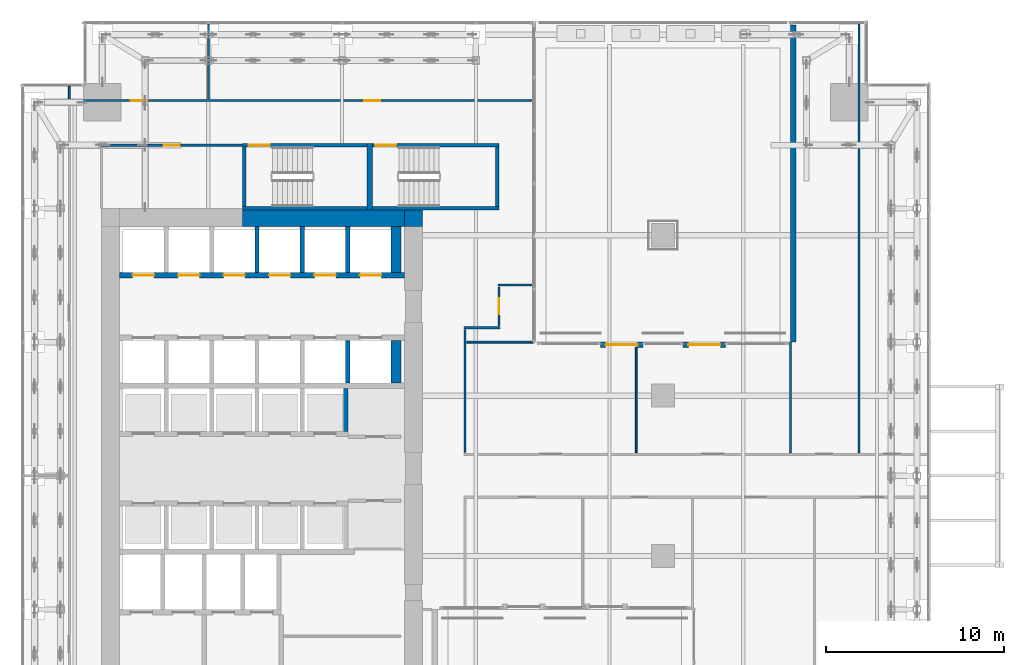
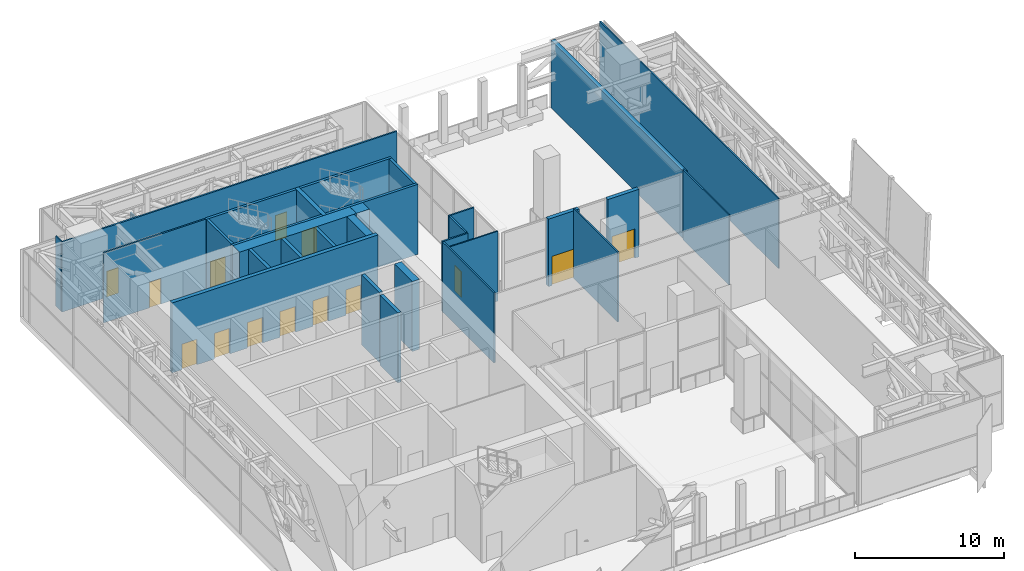
# One storey, part 38 of 47: 32 walls, 14 doors, 14 openings.
"""IFC4 building model written with IfcOpenShell, lengths in metres."""

from ifc_helpers import new_model, si_unit, direction, frame, frame_2d, origin, place, context, subcontext, project, spatial, rectangle, extrude, source, transform, mapped, material, layer, layer_set, type_object, element, fill, save


model = new_model("IFC4")

# Units and contexts
model_context = context("Model", 3, precision=1e-05, world=origin(), true_north=direction((0.0, 1.0)))
body_context = subcontext(model_context, "Body", "Model", "MODEL_VIEW")
ifc_project = project(units=[si_unit("LENGTHUNIT", "METRE"), si_unit("AREAUNIT", "SQUARE_METRE"), si_unit("VOLUMEUNIT", "CUBIC_METRE"), si_unit("PLANEANGLEUNIT", "RADIAN"), si_unit("MASSUNIT", "GRAM", prefix="KILO")], contexts=[model_context])

# Site, building, storey
site_placement = place(None, origin())
site = spatial("IfcSite", under=ifc_project, at=site_placement, CompositionType="ELEMENT")
building_placement = place(site_placement, origin())
building = spatial("IfcBuilding", under=site, at=building_placement, Name="Khomas Fold Tower", CompositionType="ELEMENT")
storey_placement = place(building_placement, frame((0.0, 0.0, 158.699951171875)))
storey = spatial("IfcBuildingStorey", under=building, at=storey_placement, Name="L34", CompositionType="ELEMENT", Elevation=158.699951171875)

# Walls
ifc_material_1 = material(Name="Concrete C70/85", Category="concrete")
ifc_layer_1 = layer(ifc_material_1, 0.89990234375)
ifc_layer_set_1 = layer_set([ifc_layer_1], Name="Concrete C70/85")
wall_type_1 = type_object("IfcWallType", Name="Core wall 900", PredefinedType="SHEAR", material=ifc_layer_set_1)
shared_shape_1 = source(origin(), body_context, "Body", "SweptSolid", [
    extrude(rectangle(XDim=9.10009765625, YDim=0.89990234375, at=frame_2d((4.550048828125, 0.0))), origin(), (0.0, 0.0, 1.0), 5.75),
])
wall_1_placement = place(storey_placement, frame((13.89990234375, 41.449951171875, 0.0), z_axis=(0.0, 0.0, 1.0), x_axis=(1.0, 0.0, 0.0)))
element("IfcWall", 1, at=wall_1_placement, inside=storey, type_object=wall_type_1, Name="Core wall CW-L-N-L21-1", PredefinedType="SHEAR", context=body_context, shape_type="MappedRepresentation", body=[
    mapped(shared_shape_1, transform((0.0, 0.0, 0.0))),
])
ifc_material_2 = material(Name="Concrete C70/85", Category="concrete")
ifc_layer_2 = layer(ifc_material_2, 0.89990234375)
ifc_layer_set_2 = layer_set([ifc_layer_2], Name="Concrete C70/85")
wall_type_2 = type_object("IfcWallType", Name="Core corner wall 900", PredefinedType="SHEAR", material=ifc_layer_set_2)
shared_shape_2 = source(origin(), body_context, "Body", "SweptSolid", [
    extrude(rectangle(XDim=1.0, YDim=0.89990234375, at=frame_2d((0.5, 0.0))), origin(), (0.0, 0.0, 1.0), 5.75),
])
wall_2_placement = place(storey_placement, frame((23.0, 41.449951171875, 0.0), z_axis=(0.0, 0.0, 1.0), x_axis=(1.0, 0.0, 0.0)))
element("IfcWall", 2, at=wall_2_placement, inside=storey, type_object=wall_type_2, Name="Core wall CW-L-NE-L21", PredefinedType="SHEAR", context=body_context, shape_type="MappedRepresentation", body=[
    mapped(shared_shape_2, transform((0.0, 0.0, 0.0))),
])

# Wall, opening, door
ifc_material_3 = material(Name="Concrete C50/60", Category="concrete")
ifc_layer_3 = layer(ifc_material_3, 0.199951171875)
ifc_layer_set_3 = layer_set([ifc_layer_3], Name="Concrete C50/60")
wall_type_3 = type_object("IfcWallType", Name="Stair wall 200", PredefinedType="SHEAR", material=ifc_layer_set_3)
shared_shape_3 = source(origin(), body_context, "Body", "SweptSolid", [
    extrude(rectangle(XDim=7.0, YDim=0.199951171875, at=frame_2d((3.5, 0.0))), origin(), (0.0, 0.0, 1.0), 5.75),
])
wall_3_placement = place(storey_placement, frame((13.89990234375, 45.550048828125, 0.0), z_axis=(0.0, 0.0, 1.0), x_axis=(1.0, 0.0, 0.0)))
wall_3 = element("IfcWall", 3, at=wall_3_placement, inside=storey, type_object=wall_type_3, Name="Stair wall SW-ST1-N", PredefinedType="SHEAR", context=body_context, shape_type="MappedRepresentation", body=[
    mapped(shared_shape_3, transform((0.0, 0.0, 0.0))),
])
shared_shape_4 = source(origin(), body_context, "Body", "SweptSolid", [
    extrude(rectangle(XDim=1.199951171875, YDim=2.10009765625, at=frame_2d((0.60009765625, 1.050048828125))), frame((0.0, 0.10986328125, 0.0), z_axis=(0.0, -1.0, 0.0), x_axis=(1.0, 0.0, 0.0)), (0.0, 0.0, 1.0), 0.219970703125),
])
opening_1_placement = place(wall_3_placement, frame((0.35009765625, 0.0, 0.0)))
opening_1 = element("IfcOpeningElement", 4, at=opening_1_placement, cuts=wall_3, Name="Opening SD-ST1", PredefinedType="OPENING", context=body_context, shape_type="MappedRepresentation", body=[
    mapped(shared_shape_4, transform((0.0, 0.0, 0.0))),
])
ifc_material_4 = material(Name="Steel door leaf", Category="steel")
door_type_1 = type_object("IfcDoorType", Name="Stair door 1200x2100 left-hand", OperationType="SINGLE_SWING_LEFT", PredefinedType="DOOR", material=ifc_material_4)
shared_shape_5 = source(origin(), body_context, "Body", "SweptSolid", [
    extrude(rectangle(XDim=1.199951171875, YDim=2.10009765625, at=frame_2d((0.60009765625, 1.050048828125))), frame((0.0, 0.02490234375, 0.0), z_axis=(0.0, -1.0, 0.0), x_axis=(1.0, 0.0, 0.0)), (0.0, 0.0, 1.0), 0.050048828125),
])
door_1_placement = place(opening_1_placement, origin())
door_1 = element("IfcDoor", 5, at=door_1_placement, inside=storey, type_object=door_type_1, Name="Stair door", OperationType="SINGLE_SWING_LEFT", OverallHeight=2.10009765625, OverallWidth=1.199951171875, PredefinedType="DOOR", context=body_context, shape_type="MappedRepresentation", body=[
    mapped(shared_shape_5, transform((0.0, 0.0, 0.0))),
])
fill(opening_1, door_1)

# Wall
wall_4_placement = place(storey_placement, frame((13.89990234375, 42.0, 0.0), z_axis=(0.0, 0.0, 1.0), x_axis=(1.0, 0.0, 0.0)))
element("IfcWall", 6, at=wall_4_placement, inside=storey, type_object=wall_type_3, Name="Stair wall SW-ST1-S", PredefinedType="SHEAR", context=body_context, shape_type="MappedRepresentation", body=[
    mapped(shared_shape_3, transform((0.0, 0.0, 0.0))),
])

# Wall, opening, door
shared_shape_6 = source(origin(), body_context, "Body", "SweptSolid", [
    extrude(rectangle(XDim=7.10009765625, YDim=0.199951171875, at=frame_2d((3.550048828125, 0.0))), origin(), (0.0, 0.0, 1.0), 5.75),
])
wall_5_placement = place(storey_placement, frame((21.199951171875, 45.550048828125, 0.0), z_axis=(0.0, 0.0, 1.0), x_axis=(1.0, 0.0, 0.0)))
wall_5 = element("IfcWall", 7, at=wall_5_placement, inside=storey, type_object=wall_type_3, Name="Stair wall SW-ST3-N", PredefinedType="SHEAR", context=body_context, shape_type="MappedRepresentation", body=[
    mapped(shared_shape_6, transform((0.0, 0.0, 0.0))),
])
opening_2_placement = place(wall_5_placement, frame((0.14990234375, 0.0, 0.0)))
opening_2 = element("IfcOpeningElement", 8, at=opening_2_placement, cuts=wall_5, Name="Opening SD-ST3", PredefinedType="OPENING", context=body_context, shape_type="MappedRepresentation", body=[
    mapped(shared_shape_4, transform((0.0, 0.0, 0.0))),
])
door_2_placement = place(opening_2_placement, origin())
door_2 = element("IfcDoor", 9, at=door_2_placement, inside=storey, type_object=door_type_1, Name="Stair door", OperationType="SINGLE_SWING_LEFT", OverallHeight=2.10009765625, OverallWidth=1.199951171875, PredefinedType="DOOR", context=body_context, shape_type="MappedRepresentation", body=[
    mapped(shared_shape_5, transform((0.0, 0.0, 0.0))),
])
fill(opening_2, door_2)

# Walls
wall_6_placement = place(storey_placement, frame((21.199951171875, 42.0, 0.0), z_axis=(0.0, 0.0, 1.0), x_axis=(1.0, 0.0, 0.0)))
element("IfcWall", 10, at=wall_6_placement, inside=storey, type_object=wall_type_3, Name="Stair wall SW-ST3-S", PredefinedType="SHEAR", context=body_context, shape_type="MappedRepresentation", body=[
    mapped(shared_shape_6, transform((0.0, 0.0, 0.0))),
])
ifc_material_5 = material(Name="Concrete C50/60", Category="concrete")
ifc_layer_4 = layer(ifc_material_5, 0.300048828125)
ifc_layer_set_4 = layer_set([ifc_layer_4], Name="Concrete C50/60")
wall_type_4 = type_object("IfcWallType", Name="Stair wall 300", PredefinedType="SHEAR", material=ifc_layer_set_4)
shared_shape_7 = source(origin(), body_context, "Body", "SweptSolid", [
    extrude(rectangle(XDim=3.75, YDim=0.300048828125, at=frame_2d((1.875, 0.0))), origin(), (0.0, 0.0, 1.0), 5.75),
])
wall_7_placement = place(storey_placement, frame((21.050048828125, 41.89990234375, 0.0), z_axis=(0.0, 0.0, 1.0), x_axis=(0.0, 1.0, 0.0)))
element("IfcWall", 11, at=wall_7_placement, inside=storey, type_object=wall_type_4, Name="Stair wall SW-ST1-E", PredefinedType="SHEAR", context=body_context, shape_type="MappedRepresentation", body=[
    mapped(shared_shape_7, transform((0.0, 0.0, 0.0))),
])
shared_shape_8 = source(origin(), body_context, "Body", "SweptSolid", [
    extrude(rectangle(XDim=3.349853515625, YDim=0.199951171875, at=frame_2d((1.6748046875, 0.0))), origin(), (0.0, 0.0, 1.0), 5.75),
])
for number, where, z_axis, x_axis, name in (
    (12, (14.0, 42.10009765625, 0.0), (0.0, 0.0, 1.0), (0.0, 1.0, 0.0), "Stair wall SW-ST1-W"),
    (13, (28.199951171875, 42.10009765625, 0.0), (0.0, 0.0, 1.0), (0.0, 1.0, 0.0), "Stair wall SW-ST3-E"),
):
    element("IfcWall", number, at=place(storey_placement, frame(where, z_axis=z_axis, x_axis=x_axis)), inside=storey, type_object=wall_type_3, Name=name, PredefinedType="SHEAR", context=body_context, shape_type="MappedRepresentation", body=[
        mapped(shared_shape_8, transform((0.0, 0.0, 0.0))),
    ])

# Wall, openings, doors
ifc_material_6 = material(Name="Concrete C50/60", Category="concrete")
ifc_layer_5 = layer(ifc_material_6, 0.300048828125)
ifc_layer_set_5 = layer_set([ifc_layer_5], Name="Concrete C50/60")
wall_type_5 = type_object("IfcWallType", Name="Shaft wall 300", PredefinedType="STANDARD", material=ifc_layer_set_5)
shared_shape_9 = source(origin(), body_context, "Body", "SweptSolid", [
    extrude(rectangle(XDim=16.0, YDim=0.300048828125, at=frame_2d((8.0, 0.0))), origin(), (0.0, 0.0, 1.0), 5.75),
])
wall_8_placement = place(storey_placement, frame((7.0, 38.25, 0.0), z_axis=(0.0, 0.0, 1.0), x_axis=(1.0, 0.0, 0.0)))
wall_8 = element("IfcWall", 14, at=wall_8_placement, inside=storey, type_object=wall_type_5, Name="Core wall SW-LRN-F", PredefinedType="STANDARD", context=body_context, shape_type="MappedRepresentation", body=[
    mapped(shared_shape_9, transform((0.0, 0.0, 0.0))),
])
shared_shape_10 = source(origin(), body_context, "Body", "SweptSolid", [
    extrude(rectangle(XDim=1.199951171875, YDim=2.10009765625, at=frame_2d((0.60009765625, 1.050048828125))), frame((0.0, 0.159912109375, 0.0), z_axis=(0.0, -1.0, 0.0), x_axis=(1.0, 0.0, 0.0)), (0.0, 0.0, 1.0), 0.320068359375),
])
opening_3_placement = place(wall_8_placement, frame((0.75, 0.0, 0.0)))
opening_3 = element("IfcOpeningElement", 15, at=opening_3_placement, cuts=wall_8, Name="Opening LD-LR5", PredefinedType="OPENING", context=body_context, shape_type="MappedRepresentation", body=[
    mapped(shared_shape_10, transform((0.0, 0.0, 0.0))),
])
opening_4_placement = place(wall_8_placement, frame((3.300048828125, 0.0, 0.0)))
opening_4 = element("IfcOpeningElement", 16, at=opening_4_placement, cuts=wall_8, Name="Opening LD-LR6", PredefinedType="OPENING", context=body_context, shape_type="MappedRepresentation", body=[
    mapped(shared_shape_10, transform((0.0, 0.0, 0.0))),
])
opening_5_placement = place(wall_8_placement, frame((5.85009765625, 0.0, 0.0)))
opening_5 = element("IfcOpeningElement", 17, at=opening_5_placement, cuts=wall_8, Name="Opening LD-LR7", PredefinedType="OPENING", context=body_context, shape_type="MappedRepresentation", body=[
    mapped(shared_shape_10, transform((0.0, 0.0, 0.0))),
])
opening_6_placement = place(wall_8_placement, frame((8.39990234375, 0.0, 0.0)))
opening_6 = element("IfcOpeningElement", 18, at=opening_6_placement, cuts=wall_8, Name="Opening LD-LR8", PredefinedType="OPENING", context=body_context, shape_type="MappedRepresentation", body=[
    mapped(shared_shape_10, transform((0.0, 0.0, 0.0))),
])
opening_7_placement = place(wall_8_placement, frame((10.949951171875, 0.0, 0.0)))
opening_7 = element("IfcOpeningElement", 19, at=opening_7_placement, cuts=wall_8, Name="Opening LD-S3", PredefinedType="OPENING", context=body_context, shape_type="MappedRepresentation", body=[
    mapped(shared_shape_10, transform((0.0, 0.0, 0.0))),
])
opening_8_placement = place(wall_8_placement, frame((13.5, 0.0, 0.0)))
opening_8 = element("IfcOpeningElement", 20, at=opening_8_placement, cuts=wall_8, Name="Opening LD-S4", PredefinedType="OPENING", context=body_context, shape_type="MappedRepresentation", body=[
    mapped(shared_shape_10, transform((0.0, 0.0, 0.0))),
])
ifc_material_7 = material(Name="Steel door leaf", Category="steel")
door_type_2 = type_object("IfcDoorType", Name="Landing door 1200x2100", OperationType="DOUBLE_DOOR_SLIDING", PredefinedType="DOOR", material=ifc_material_7)
door_3_placement = place(opening_3_placement, origin())
door_3 = element("IfcDoor", 21, at=door_3_placement, inside=storey, type_object=door_type_2, Name="Lift landing door", OperationType="DOUBLE_DOOR_SLIDING", OverallHeight=2.10009765625, OverallWidth=1.199951171875, PredefinedType="DOOR", context=body_context, shape_type="MappedRepresentation", body=[
    mapped(shared_shape_5, transform((0.0, 0.0, 0.0))),
])
fill(opening_3, door_3)
door_4_placement = place(opening_4_placement, origin())
door_4 = element("IfcDoor", 22, at=door_4_placement, inside=storey, type_object=door_type_2, Name="Lift landing door", OperationType="DOUBLE_DOOR_SLIDING", OverallHeight=2.10009765625, OverallWidth=1.199951171875, PredefinedType="DOOR", context=body_context, shape_type="MappedRepresentation", body=[
    mapped(shared_shape_5, transform((0.0, 0.0, 0.0))),
])
fill(opening_4, door_4)
door_5_placement = place(opening_5_placement, origin())
door_5 = element("IfcDoor", 23, at=door_5_placement, inside=storey, type_object=door_type_2, Name="Lift landing door", OperationType="DOUBLE_DOOR_SLIDING", OverallHeight=2.10009765625, OverallWidth=1.199951171875, PredefinedType="DOOR", context=body_context, shape_type="MappedRepresentation", body=[
    mapped(shared_shape_5, transform((0.0, 0.0, 0.0))),
])
fill(opening_5, door_5)
door_6_placement = place(opening_6_placement, origin())
door_6 = element("IfcDoor", 24, at=door_6_placement, inside=storey, type_object=door_type_2, Name="Lift landing door", OperationType="DOUBLE_DOOR_SLIDING", OverallHeight=2.10009765625, OverallWidth=1.199951171875, PredefinedType="DOOR", context=body_context, shape_type="MappedRepresentation", body=[
    mapped(shared_shape_5, transform((0.0, 0.0, 0.0))),
])
fill(opening_6, door_6)
door_7_placement = place(opening_7_placement, origin())
door_7 = element("IfcDoor", 25, at=door_7_placement, inside=storey, type_object=door_type_2, Name="Lift landing door", OperationType="DOUBLE_DOOR_SLIDING", OverallHeight=2.10009765625, OverallWidth=1.199951171875, PredefinedType="DOOR", context=body_context, shape_type="MappedRepresentation", body=[
    mapped(shared_shape_5, transform((0.0, 0.0, 0.0))),
])
fill(opening_7, door_7)
door_8_placement = place(opening_8_placement, origin())
door_8 = element("IfcDoor", 26, at=door_8_placement, inside=storey, type_object=door_type_2, Name="Lift landing door", OperationType="DOUBLE_DOOR_SLIDING", OverallHeight=2.10009765625, OverallWidth=1.199951171875, PredefinedType="DOOR", context=body_context, shape_type="MappedRepresentation", body=[
    mapped(shared_shape_5, transform((0.0, 0.0, 0.0))),
])
fill(opening_8, door_8)

# Walls
ifc_material_8 = material(Name="Concrete C50/60", Category="concrete")
ifc_layer_6 = layer(ifc_material_8, 0.25)
ifc_layer_set_6 = layer_set([ifc_layer_6], Name="Concrete C50/60")
wall_type_6 = type_object("IfcWallType", Name="Shaft wall 250", PredefinedType="STANDARD", material=ifc_layer_set_6)
shared_shape_11 = source(origin(), body_context, "Body", "SweptSolid", [
    extrude(rectangle(XDim=2.39990234375, YDim=0.25, at=frame_2d((1.199951171875, 0.0))), origin(), (0.0, 0.0, 1.0), 5.75),
])
wall_9_placement = place(storey_placement, frame((19.699951171875, 29.5, 0.0), z_axis=(0.0, 0.0, 1.0), x_axis=(0.0, 1.0, 0.0)))
element("IfcWall", 27, at=wall_9_placement, inside=storey, type_object=wall_type_6, Name="Core wall SW-HRN-MR-PE", PredefinedType="STANDARD", context=body_context, shape_type="MappedRepresentation", body=[
    mapped(shared_shape_11, transform((0.0, 0.0, 0.0))),
])
shared_shape_12 = source(origin(), body_context, "Body", "SweptSolid", [
    extrude(rectangle(XDim=2.400146484375, YDim=0.25, at=frame_2d((1.2001953125, 0.0))), origin(), (0.0, 0.0, 1.0), 5.75),
])
wall_10_placement = place(storey_placement, frame((19.824951171875, 32.199951171875, 0.0), z_axis=(0.0, 0.0, 1.0), x_axis=(0.0, 1.0, 0.0)))
element("IfcWall", 28, at=wall_10_placement, inside=storey, type_object=wall_type_6, Name="Core wall SW-LRS-P5", PredefinedType="STANDARD", context=body_context, shape_type="MappedRepresentation", body=[
    mapped(shared_shape_12, transform((0.0, 0.0, 0.0))),
])
shared_shape_13 = source(origin(), body_context, "Body", "SweptSolid", [
    extrude(rectangle(XDim=2.60009765625, YDim=0.25, at=frame_2d((1.300048828125, 0.0))), origin(), (0.0, 0.0, 1.0), 5.75),
])
for number, where, z_axis, x_axis, name in (
    (29, (14.72509765625, 38.39990234375, 0.0), (0.0, 0.0, 1.0), (0.0, 1.0, 0.0), "Core wall SW-LRN-P3"),
    (30, (17.27490234375, 38.39990234375, 0.0), (0.0, 0.0, 1.0), (0.0, 1.0, 0.0), "Core wall SW-LRN-P4"),
    (31, (19.824951171875, 38.39990234375, 0.0), (0.0, 0.0, 1.0), (0.0, 1.0, 0.0), "Core wall SW-LRN-P5"),
):
    element("IfcWall", number, at=place(storey_placement, frame(where, z_axis=z_axis, x_axis=x_axis)), inside=storey, type_object=wall_type_6, Name=name, PredefinedType="STANDARD", context=body_context, shape_type="MappedRepresentation", body=[
        mapped(shared_shape_13, transform((0.0, 0.0, 0.0))),
    ])
ifc_material_9 = material(Name="Concrete C50/60", Category="concrete")
ifc_layer_7 = layer(ifc_material_9, 0.550048828125)
ifc_layer_set_7 = layer_set([ifc_layer_7], Name="Concrete C50/60")
wall_type_7 = type_object("IfcWallType", Name="Shaft wall 550", PredefinedType="STANDARD", material=ifc_layer_set_7)
shared_shape_14 = source(origin(), body_context, "Body", "SweptSolid", [
    extrude(rectangle(XDim=2.60009765625, YDim=0.550048828125, at=frame_2d((1.300048828125, 0.0))), origin(), (0.0, 0.0, 1.0), 5.75),
])
wall_11_placement = place(storey_placement, frame((22.52490234375, 38.39990234375, 0.0), z_axis=(0.0, 0.0, 1.0), x_axis=(0.0, 1.0, 0.0)))
element("IfcWall", 32, at=wall_11_placement, inside=storey, type_object=wall_type_7, Name="Core wall SW-LRN-PE", PredefinedType="STANDARD", context=body_context, shape_type="MappedRepresentation", body=[
    mapped(shared_shape_14, transform((0.0, 0.0, 0.0))),
])
shared_shape_15 = source(origin(), body_context, "Body", "SweptSolid", [
    extrude(rectangle(XDim=2.400146484375, YDim=0.550048828125, at=frame_2d((1.2001953125, 0.0))), origin(), (0.0, 0.0, 1.0), 5.75),
])
wall_12_placement = place(storey_placement, frame((22.52490234375, 32.199951171875, 0.0), z_axis=(0.0, 0.0, 1.0), x_axis=(0.0, 1.0, 0.0)))
element("IfcWall", 33, at=wall_12_placement, inside=storey, type_object=wall_type_7, Name="Core wall SW-LRS-PE", PredefinedType="STANDARD", context=body_context, shape_type="MappedRepresentation", body=[
    mapped(shared_shape_15, transform((0.0, 0.0, 0.0))),
])
ifc_material_10 = material(Name="Concrete C40/50", Category="concrete")
ifc_layer_8 = layer(ifc_material_10, 0.300048828125)
ifc_layer_set_8 = layer_set([ifc_layer_8], Name="Concrete C40/50")
wall_type_8 = type_object("IfcWallType", Name="Garden door wall 300", PredefinedType="SOLIDWALL", material=ifc_layer_set_8)
shared_shape_16 = source(origin(), body_context, "Body", "SweptSolid", [
    extrude(rectangle(XDim=17.800048828125, YDim=0.300048828125, at=frame_2d((8.89990234375, 0.0))), origin(), (0.0, 0.0, 1.0), 5.550048828125),
])
wall_13_placement = place(storey_placement, frame((44.800048828125, 52.300048828125, 0.0), z_axis=(0.0, 0.0, 1.0), x_axis=(0.0, -1.0, 0.0)))
element("IfcWall", 34, at=wall_13_placement, inside=storey, type_object=wall_type_8, Name="Garden closing wall", PredefinedType="SOLIDWALL", context=body_context, shape_type="MappedRepresentation", body=[
    mapped(shared_shape_16, transform((0.0, 0.0, 0.0))),
])

# Wall, opening, door
shared_shape_17 = source(origin(), body_context, "Body", "SweptSolid", [
    extrude(rectangle(XDim=2.39990234375, YDim=0.300048828125, at=frame_2d((1.199951171875, 0.0))), origin(), (0.0, 0.0, 1.0), 5.550048828125),
])
wall_14_placement = place(storey_placement, frame((41.0166015625, 34.35009765625, 0.0), z_axis=(0.0, 0.0, 1.0), x_axis=(-1.0, 0.0, 0.0)))
wall_14 = element("IfcWall", 35, at=wall_14_placement, inside=storey, type_object=wall_type_8, Name="Garden door wall", PredefinedType="SOLIDWALL", context=body_context, shape_type="MappedRepresentation", body=[
    mapped(shared_shape_17, transform((0.0, 0.0, 0.0))),
])
shared_shape_18 = source(origin(), body_context, "Body", "SweptSolid", [
    extrude(rectangle(XDim=1.800048828125, YDim=2.39990234375, at=frame_2d((0.89990234375, 1.199951171875))), frame((0.0, 0.159912109375, 0.0), z_axis=(0.0, -1.0, 0.0), x_axis=(1.0, 0.0, 0.0)), (0.0, 0.0, 1.0), 0.320068359375),
])
opening_9_placement = place(wall_14_placement, frame((2.10009765625, 0.0, 0.0), z_axis=(0.0, 0.0, 1.0), x_axis=(-1.0, 0.0, 0.0)))
opening_9 = element("IfcOpeningElement", 36, at=opening_9_placement, cuts=wall_14, Name="Opening GNN03", PredefinedType="OPENING", context=body_context, shape_type="MappedRepresentation", body=[
    mapped(shared_shape_18, transform((0.0, 0.0, 0.0))),
])
ifc_material_11 = material(Name="Aluminium framed glazing", Category="aluminium")
door_type_3 = type_object("IfcDoorType", Name="Garden door 1800 x 2400", OperationType="DOUBLE_DOOR_DOUBLE_SWING", PredefinedType="DOOR", material=ifc_material_11)
shared_shape_19 = source(origin(), body_context, "Body", "SweptSolid", [
    extrude(rectangle(XDim=1.800048828125, YDim=2.39990234375, at=frame_2d((0.89990234375, 1.199951171875))), frame((0.0, 0.02490234375, 0.0), z_axis=(0.0, -1.0, 0.0), x_axis=(1.0, 0.0, 0.0)), (0.0, 0.0, 1.0), 0.050048828125),
])
door_9_placement = place(opening_9_placement, origin())
door_9 = element("IfcDoor", 37, at=door_9_placement, inside=storey, type_object=door_type_3, Name="Garden door", OperationType="DOUBLE_DOOR_DOUBLE_SWING", OverallHeight=2.39990234375, OverallWidth=1.800048828125, PredefinedType="DOOR", context=body_context, shape_type="MappedRepresentation", body=[
    mapped(shared_shape_19, transform((0.0, 0.0, 0.0))),
])
fill(opening_9, door_9)

wall_15_placement = place(storey_placement, frame((36.38330078125, 34.35009765625, 0.0), z_axis=(0.0, 0.0, 1.0), x_axis=(-1.0, 0.0, 0.0)))
wall_15 = element("IfcWall", 38, at=wall_15_placement, inside=storey, type_object=wall_type_8, Name="Garden door wall", PredefinedType="SOLIDWALL", context=body_context, shape_type="MappedRepresentation", body=[
    mapped(shared_shape_17, transform((0.0, 0.0, 0.0))),
])
opening_10_placement = place(wall_15_placement, frame((2.10009765625, 0.0, 0.0), z_axis=(0.0, 0.0, 1.0), x_axis=(-1.0, 0.0, 0.0)))
opening_10 = element("IfcOpeningElement", 39, at=opening_10_placement, cuts=wall_15, Name="Opening GNN04", PredefinedType="OPENING", context=body_context, shape_type="MappedRepresentation", body=[
    mapped(shared_shape_18, transform((0.0, 0.0, 0.0))),
])
door_10_placement = place(opening_10_placement, origin())
door_10 = element("IfcDoor", 40, at=door_10_placement, inside=storey, type_object=door_type_3, Name="Garden door", OperationType="DOUBLE_DOOR_DOUBLE_SWING", OverallHeight=2.39990234375, OverallWidth=1.800048828125, PredefinedType="DOOR", context=body_context, shape_type="MappedRepresentation", body=[
    mapped(shared_shape_19, transform((0.0, 0.0, 0.0))),
])
fill(opening_10, door_10)

# Walls
ifc_material_12 = material(Name="Plasterboard partition")
ifc_layer_9 = layer(ifc_material_12, 0.10009765625)
ifc_layer_set_9 = layer_set([ifc_layer_9], Name="Plasterboard partition")
wall_type_9 = type_object("IfcWallType", Name="Partition PW1 100", PredefinedType="PARTITIONING", material=ifc_layer_set_9)
shared_shape_20 = source(origin(), body_context, "Body", "SweptSolid", [
    extrude(rectangle(XDim=24.050048828125, YDim=0.10009765625, at=frame_2d((12.02490234375, 0.0))), origin(), (0.0, 0.0, 1.0), 5.75),
])
wall_16_placement = place(storey_placement, frame((48.5, 28.300048828125, 0.0), z_axis=(0.0, 0.0, 1.0), x_axis=(0.0, 1.0, 0.0)))
element("IfcWall", 41, at=wall_16_placement, inside=storey, type_object=wall_type_9, Name="Partition", PredefinedType="PARTITIONING", context=body_context, shape_type="MappedRepresentation", body=[
    mapped(shared_shape_20, transform((0.0, 0.0, 0.0))),
])
shared_shape_21 = source(origin(), body_context, "Body", "SweptSolid", [
    extrude(rectangle(XDim=6.199951171875, YDim=0.10009765625, at=frame_2d((3.10009765625, 0.0))), origin(), (0.0, 0.0, 1.0), 5.75),
])
wall_17_placement = place(storey_placement, frame((44.64990234375, 28.300048828125, 0.0), z_axis=(0.0, 0.0, 1.0), x_axis=(0.0, 1.0, 0.0)))
element("IfcWall", 42, at=wall_17_placement, inside=storey, type_object=wall_type_9, Name="Partition", PredefinedType="PARTITIONING", context=body_context, shape_type="MappedRepresentation", body=[
    mapped(shared_shape_21, transform((0.0, 0.0, 0.0))),
])
ifc_material_13 = material(Name="Plasterboard partition")
ifc_layer_10 = layer(ifc_material_13, 0.125)
ifc_layer_set_10 = layer_set([ifc_layer_10], Name="Plasterboard partition")
wall_type_10 = type_object("IfcWallType", Name="Partition PW2 125", PredefinedType="PARTITIONING", material=ifc_layer_set_10)
shared_shape_22 = source(origin(), body_context, "Body", "SweptSolid", [
    extrude(rectangle(XDim=6.89990234375, YDim=0.125, at=frame_2d((3.449951171875, 0.0))), origin(), (0.0, 0.0, 1.0), 5.75),
])
wall_18_placement = place(storey_placement, frame((26.39990234375, 28.300048828125, 0.0), z_axis=(0.0, 0.0, 1.0), x_axis=(0.0, 1.0, 0.0)))
element("IfcWall", 43, at=wall_18_placement, inside=storey, type_object=wall_type_10, Name="Partition", PredefinedType="PARTITIONING", context=body_context, shape_type="MappedRepresentation", body=[
    mapped(shared_shape_22, transform((0.0, 0.0, 0.0))),
])
shared_shape_23 = source(origin(), body_context, "Body", "SweptSolid", [
    extrude(rectangle(XDim=5.89990234375, YDim=0.10009765625, at=frame_2d((2.949951171875, 0.0))), origin(), (0.0, 0.0, 1.0), 5.75),
])
wall_19_placement = place(storey_placement, frame((36.0, 28.300048828125, 0.0), z_axis=(0.0, 0.0, 1.0), x_axis=(0.0, 1.0, 0.0)))
element("IfcWall", 44, at=wall_19_placement, inside=storey, type_object=wall_type_9, Name="Partition", PredefinedType="PARTITIONING", context=body_context, shape_type="MappedRepresentation", body=[
    mapped(shared_shape_23, transform((0.0, 0.0, 0.0))),
])
shared_shape_24 = source(origin(), body_context, "Body", "SweptSolid", [
    extrude(rectangle(XDim=3.699951171875, YDim=0.10009765625, at=frame_2d((1.85009765625, 0.0))), origin(), (0.0, 0.0, 1.0), 5.75),
])
wall_20_placement = place(storey_placement, frame((26.5, 34.5, 0.0), z_axis=(0.0, 0.0, 1.0), x_axis=(1.0, 0.0, 0.0)))
element("IfcWall", 45, at=wall_20_placement, inside=storey, type_object=wall_type_9, Name="Partition", PredefinedType="PARTITIONING", context=body_context, shape_type="MappedRepresentation", body=[
    mapped(shared_shape_24, transform((0.0, 0.0, 0.0))),
])
shared_shape_25 = source(origin(), body_context, "Body", "SweptSolid", [
    extrude(rectangle(XDim=2.0, YDim=0.125, at=frame_2d((1.0, 0.0))), origin(), (0.0, 0.0, 1.0), 5.75),
])
wall_21_placement = place(storey_placement, frame((26.35009765625, 35.300048828125, 0.0), z_axis=(0.0, 0.0, 1.0), x_axis=(1.0, 0.0, 0.0)))
element("IfcWall", 46, at=wall_21_placement, inside=storey, type_object=wall_type_10, Name="Partition", PredefinedType="PARTITIONING", context=body_context, shape_type="MappedRepresentation", body=[
    mapped(shared_shape_25, transform((0.0, 0.0, 0.0))),
])

# Wall, opening, door
shared_shape_26 = source(origin(), body_context, "Body", "SweptSolid", [
    extrude(rectangle(XDim=2.2001953125, YDim=0.125, at=frame_2d((1.10009765625, 0.0))), origin(), (0.0, 0.0, 1.0), 5.75),
])
wall_22_placement = place(storey_placement, frame((28.300048828125, 35.39990234375, 0.0), z_axis=(0.0, 0.0, 1.0), x_axis=(0.0, 1.0, 0.0)))
wall_22 = element("IfcWall", 47, at=wall_22_placement, inside=storey, type_object=wall_type_10, Name="Partition", PredefinedType="PARTITIONING", context=body_context, shape_type="MappedRepresentation", body=[
    mapped(shared_shape_26, transform((0.0, 0.0, 0.0))),
])
shared_shape_27 = source(origin(), body_context, "Body", "SweptSolid", [
    extrude(rectangle(XDim=0.89990234375, YDim=2.10009765625, at=frame_2d((0.449951171875, 1.050048828125))), frame((0.0, 0.072509765625, 0.0), z_axis=(0.0, -1.0, 0.0), x_axis=(1.0, 0.0, 0.0)), (0.0, 0.0, 1.0), 0.14501953125),
])
opening_11_placement = place(wall_22_placement, frame((0.64990234375, 0.0, 0.0)))
opening_11 = element("IfcOpeningElement", 48, at=opening_11_placement, cuts=wall_22, Name="Opening 0008", PredefinedType="OPENING", context=body_context, shape_type="MappedRepresentation", body=[
    mapped(shared_shape_27, transform((0.0, 0.0, 0.0))),
])
ifc_material_14 = material(Name="Timber door leaf", Category="wood")
door_type_4 = type_object("IfcDoorType", Name="Door 900x2100 right-hand", OperationType="SINGLE_SWING_RIGHT", PredefinedType="DOOR", material=ifc_material_14)
shared_shape_28 = source(origin(), body_context, "Body", "SweptSolid", [
    extrude(rectangle(XDim=0.89990234375, YDim=2.10009765625, at=frame_2d((0.449951171875, 1.050048828125))), frame((0.0, 0.02490234375, 0.0), z_axis=(0.0, -1.0, 0.0), x_axis=(1.0, 0.0, 0.0)), (0.0, 0.0, 1.0), 0.050048828125),
])
door_11_placement = place(opening_11_placement, origin())
door_11 = element("IfcDoor", 49, at=door_11_placement, inside=storey, type_object=door_type_4, Name="Door", OperationType="SINGLE_SWING_RIGHT", OverallHeight=2.10009765625, OverallWidth=0.89990234375, PredefinedType="DOOR", context=body_context, shape_type="MappedRepresentation", body=[
    mapped(shared_shape_28, transform((0.0, 0.0, 0.0))),
])
fill(opening_11, door_11)

# Wall
shared_shape_29 = source(origin(), body_context, "Body", "SweptSolid", [
    extrude(rectangle(XDim=1.949951171875, YDim=0.125, at=frame_2d((0.97509765625, 0.0))), origin(), (0.0, 0.0, 1.0), 5.75),
])
wall_23_placement = place(storey_placement, frame((28.25, 37.699951171875, 0.0), z_axis=(0.0, 0.0, 1.0), x_axis=(1.0, 0.0, 0.0)))
element("IfcWall", 50, at=wall_23_placement, inside=storey, type_object=wall_type_10, Name="Partition", PredefinedType="PARTITIONING", context=body_context, shape_type="MappedRepresentation", body=[
    mapped(shared_shape_29, transform((0.0, 0.0, 0.0))),
])

# Wall, opening, door
shared_shape_30 = source(origin(), body_context, "Body", "SweptSolid", [
    extrude(rectangle(XDim=7.949951171875, YDim=0.125, at=frame_2d((3.97509765625, 0.0))), origin(), (0.0, 0.0, 1.0), 5.75),
])
wall_24_placement = place(storey_placement, frame((5.949951171875, 45.550048828125, 0.0), z_axis=(0.0, 0.0, 1.0), x_axis=(1.0, 0.0, 0.0)))
wall_24 = element("IfcWall", 51, at=wall_24_placement, inside=storey, type_object=wall_type_10, Name="Partition", PredefinedType="PARTITIONING", context=body_context, shape_type="MappedRepresentation", body=[
    mapped(shared_shape_30, transform((0.0, 0.0, 0.0))),
])
opening_12_placement = place(wall_24_placement, frame((3.550048828125, 0.0, 0.0)))
opening_12 = element("IfcOpeningElement", 52, at=opening_12_placement, cuts=wall_24, Name="Opening 0007", PredefinedType="OPENING", context=body_context, shape_type="MappedRepresentation", body=[
    mapped(shared_shape_27, transform((0.0, 0.0, 0.0))),
])
ifc_material_15 = material(Name="Timber door leaf", Category="wood")
door_type_5 = type_object("IfcDoorType", Name="Door 900x2100 left-hand", OperationType="SINGLE_SWING_LEFT", PredefinedType="DOOR", material=ifc_material_15)
door_12_placement = place(opening_12_placement, origin())
door_12 = element("IfcDoor", 53, at=door_12_placement, inside=storey, type_object=door_type_5, Name="Door", OperationType="SINGLE_SWING_LEFT", OverallHeight=2.10009765625, OverallWidth=0.89990234375, PredefinedType="DOOR", context=body_context, shape_type="MappedRepresentation", body=[
    mapped(shared_shape_28, transform((0.0, 0.0, 0.0))),
])
fill(opening_12, door_12)

# Wall, openings, doors
shared_shape_31 = source(origin(), body_context, "Body", "SweptSolid", [
    extrude(rectangle(XDim=26.050048828125, YDim=0.125, at=frame_2d((13.02490234375, 0.0))), origin(), (0.0, 0.0, 1.0), 5.75),
])
wall_25_placement = place(storey_placement, frame((4.14990234375, 48.050048828125, 0.0), z_axis=(0.0, 0.0, 1.0), x_axis=(1.0, 0.0, 0.0)))
wall_25 = element("IfcWall", 54, at=wall_25_placement, inside=storey, type_object=wall_type_10, Name="Partition", PredefinedType="PARTITIONING", context=body_context, shape_type="MappedRepresentation", body=[
    mapped(shared_shape_31, transform((0.0, 0.0, 0.0))),
])
opening_13_placement = place(wall_25_placement, frame((3.5, 0.0, 0.0)))
opening_13 = element("IfcOpeningElement", 55, at=opening_13_placement, cuts=wall_25, Name="Opening 0008", PredefinedType="OPENING", context=body_context, shape_type="MappedRepresentation", body=[
    mapped(shared_shape_27, transform((0.0, 0.0, 0.0))),
])
opening_14_placement = place(wall_25_placement, frame((16.60009765625, 0.0, 0.0)))
opening_14 = element("IfcOpeningElement", 56, at=opening_14_placement, cuts=wall_25, Name="Opening 0007", PredefinedType="OPENING", context=body_context, shape_type="MappedRepresentation", body=[
    mapped(shared_shape_27, transform((0.0, 0.0, 0.0))),
])
door_13_placement = place(opening_13_placement, origin())
door_13 = element("IfcDoor", 57, at=door_13_placement, inside=storey, type_object=door_type_4, Name="Door", OperationType="SINGLE_SWING_RIGHT", OverallHeight=2.10009765625, OverallWidth=0.89990234375, PredefinedType="DOOR", context=body_context, shape_type="MappedRepresentation", body=[
    mapped(shared_shape_28, transform((0.0, 0.0, 0.0))),
])
fill(opening_13, door_13)
door_14_placement = place(opening_14_placement, origin())
door_14 = element("IfcDoor", 58, at=door_14_placement, inside=storey, type_object=door_type_5, Name="Door", OperationType="SINGLE_SWING_LEFT", OverallHeight=2.10009765625, OverallWidth=0.89990234375, PredefinedType="DOOR", context=body_context, shape_type="MappedRepresentation", body=[
    mapped(shared_shape_28, transform((0.0, 0.0, 0.0))),
])
fill(opening_14, door_14)

# Walls
shared_shape_32 = source(origin(), body_context, "Body", "SweptSolid", [
    extrude(rectangle(XDim=0.7001953125, YDim=0.10009765625, at=frame_2d((0.35009765625, 0.0))), origin(), (0.0, 0.0, 1.0), 5.75),
])
wall_26_placement = place(storey_placement, frame((4.199951171875, 48.14990234375, 0.0), z_axis=(0.0, 0.0, 1.0), x_axis=(0.0, 1.0, 0.0)))
element("IfcWall", 59, at=wall_26_placement, inside=storey, type_object=wall_type_9, Name="Partition", PredefinedType="PARTITIONING", context=body_context, shape_type="MappedRepresentation", body=[
    mapped(shared_shape_32, transform((0.0, 0.0, 0.0))),
])
shared_shape_33 = source(origin(), body_context, "Body", "SweptSolid", [
    extrude(rectangle(XDim=4.2001953125, YDim=0.10009765625, at=frame_2d((2.10009765625, 0.0))), origin(), (0.0, 0.0, 1.0), 2.85009765625),
])
wall_27_placement = place(storey_placement, frame((12.0, 48.14990234375, 0.0), z_axis=(0.0, 0.0, 1.0), x_axis=(0.0, 1.0, 0.0)))
element("IfcWall", 60, at=wall_27_placement, inside=storey, type_object=wall_type_9, Name="Partition", PredefinedType="PARTITIONING", context=body_context, shape_type="MappedRepresentation", body=[
    mapped(shared_shape_33, transform((0.0, 0.0, 0.0))),
])

save(model, "model.ifc")
